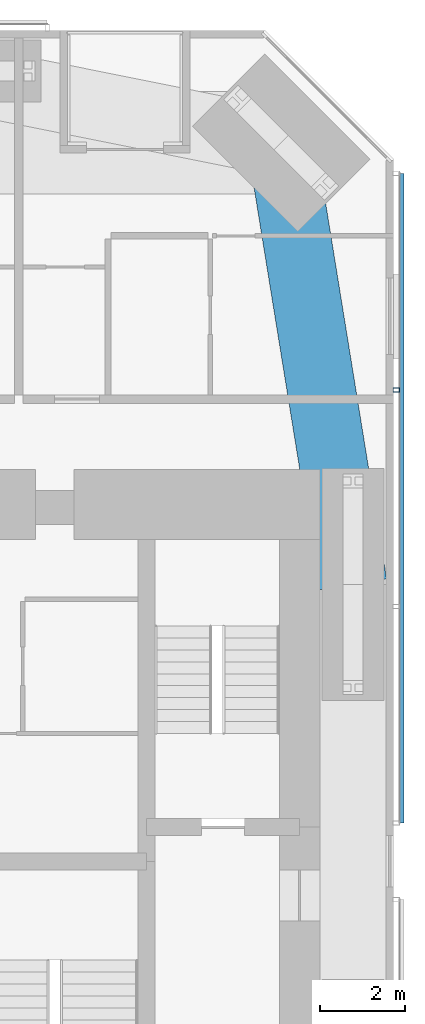
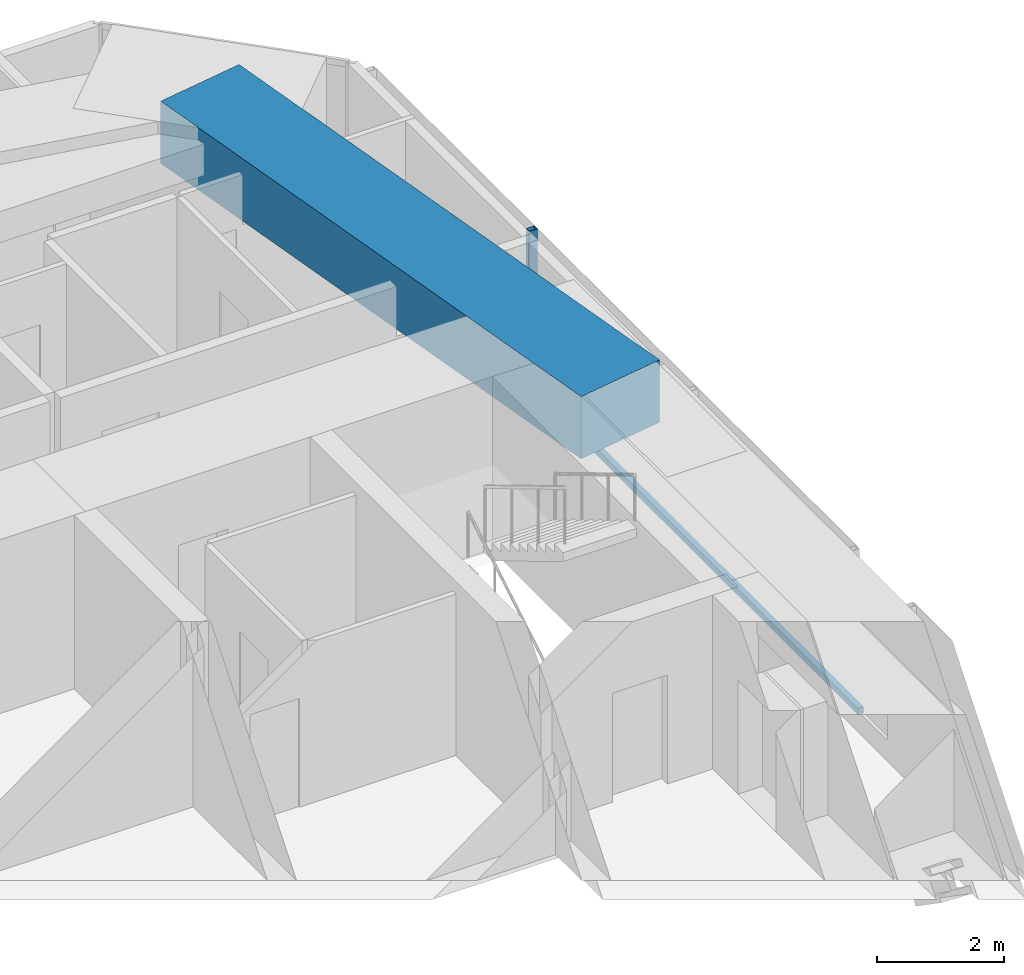
# One storey, part 10 of 23: 2 members, 1 beam, 1 element without a shape of its own.
"""IFC4 building model written with IfcOpenShell, lengths in metres."""

from ifc_helpers import new_model, si_unit, direction, frame, origin, origin_2d, place, context, subcontext, project, spatial, rectangle, hollow_rectangle, extrude, material, material_profile, profile_set, type_object, element, aggregate, save


model = new_model("IFC4")

# Units and contexts
model_context = context("Model", 3, precision=1e-05, world=origin(), true_north=direction((0.0, 1.0)))
body_context = subcontext(model_context, "Body", "Model", "MODEL_VIEW")
ifc_project = project(units=[si_unit("LENGTHUNIT", "METRE"), si_unit("AREAUNIT", "SQUARE_METRE"), si_unit("VOLUMEUNIT", "CUBIC_METRE"), si_unit("PLANEANGLEUNIT", "RADIAN"), si_unit("MASSUNIT", "GRAM", prefix="KILO")], contexts=[model_context])

# Site, building, storey
site_placement = place(None, origin())
site = spatial("IfcSite", under=ifc_project, at=site_placement, CompositionType="ELEMENT")
building_placement = place(site_placement, origin())
building = spatial("IfcBuilding", under=site, at=building_placement, Name="Jalousie Tower", CompositionType="ELEMENT")
storey_placement = place(building_placement, frame((0.0, 0.0, 27.699951171875)))
storey = spatial("IfcBuildingStorey", under=building, at=storey_placement, Name="L06", CompositionType="ELEMENT", Elevation=27.699951171875)

# Beam
ifc_material_1 = material(Name="Concrete f'c 40 MPa", Category="concrete")
ifc_material_profile_1 = material_profile(ifc_material_1, rectangle(XDim=1.60009765625, YDim=1.199951171875, at=origin_2d()), Name="RC 1600x1200")
ifc_profile_set_1 = profile_set([ifc_material_profile_1], Name="Concrete f'c 40 MPa")
beam_type = type_object("IfcBeamType", Name="RC BEAM 1600x1200", PredefinedType="BEAM", material=ifc_profile_set_1)
beam_placement = place(storey_placement, frame((45.050048828125, 25.0, 2.75), z_axis=(-0.160070546476, 0.987105577003, 0.0), x_axis=(-0.987105577003, -0.160070546476, 0.0)))
element("IfcBeam", 1, at=beam_placement, inside=storey, type_object=beam_type, Name="Edge band beam 07-08 under L07", PredefinedType="BEAM", context=body_context, shape_type="SweptSolid", body=[
    extrude(rectangle(XDim=1.60009765625, YDim=1.199951171875, at=origin_2d()), origin(), (0.0, 0.0, 1.0), 10.504150390625),
])

# Curtain wall, members
ifc_material_2 = material(Name="Perforated aluminium sheet", Category="aluminium")
curtain_wall_type = type_object("IfcCurtainWallType", Name="SOLAR SCREEN SS-1", PredefinedType="USERDEFINED", material=ifc_material_2)
curtain_wall_placement = place(storey_placement, origin())
curtain_wall = element("IfcCurtainWall", 2, at=curtain_wall_placement, inside=storey, type_object=curtain_wall_type, Name="Solar screen L06", ObjectType="SOLAR SCREEN SS-1", PredefinedType="USERDEFINED")
ifc_material_3 = material(Name="Steel ASTM A500 Grade C", Category="steel")
ifc_material_profile_2 = material_profile(ifc_material_3, hollow_rectangle(XDim=0.1015625, YDim=0.15234375, WallThickness=0.00634765625, at=origin_2d()), Name="HSS6X4X1/4")
ifc_profile_set_2 = profile_set([ifc_material_profile_2], Name="Steel ASTM A500 Grade C")
member_type_1 = type_object("IfcMemberType", Name="SOLAR SCREEN SS-1 MULLION", PredefinedType="MULLION", material=ifc_profile_set_2)
member_1_placement = place(storey_placement, frame((46.0712890625, 29.56591796875, -0.119873046875), z_axis=(0.0, 0.0, 1.0), x_axis=(0.0, 1.0, 0.0)))
member_1 = element("IfcMember", 3, at=member_1_placement, type_object=member_type_1, Name="SS1 post 3", PredefinedType="MULLION", context=body_context, shape_type="SweptSolid", body=[
    extrude(hollow_rectangle(XDim=0.1015625, YDim=0.15234375, WallThickness=0.00634765625, at=origin_2d()), origin(), (0.0, 0.0, 1.0), 3.22998046875),
])
ifc_material_4 = material(Name="Extruded aluminium screen rail", Category="aluminium")
ifc_material_profile_3 = material_profile(ifc_material_4, rectangle(XDim=0.1015625, YDim=0.1201171875, at=origin_2d()), Name="RAIL 102x120")
ifc_profile_set_3 = profile_set([ifc_material_profile_3], Name="Extruded aluminium screen rail")
member_type_2 = type_object("IfcMemberType", Name="SOLAR SCREEN SS-1 TRANSOM", PredefinedType="USERDEFINED", material=ifc_profile_set_3)
member_2_placement = place(storey_placement, frame((46.1982421875, 19.39990234375, -0.06005859375), z_axis=(0.0, 1.0, 0.0), x_axis=(-1.0, 0.0, 0.0)))
member_2 = element("IfcMember", 4, at=member_2_placement, type_object=member_type_2, Name="SS1 rail", ObjectType="TRANSOM", PredefinedType="USERDEFINED", context=body_context, shape_type="SweptSolid", body=[
    extrude(rectangle(XDim=0.1015625, YDim=0.1201171875, at=origin_2d()), origin(), (0.0, 0.0, 1.0), 15.248779296875),
])
aggregate(curtain_wall, [member_1, member_2])

save(model, "model.ifc")
